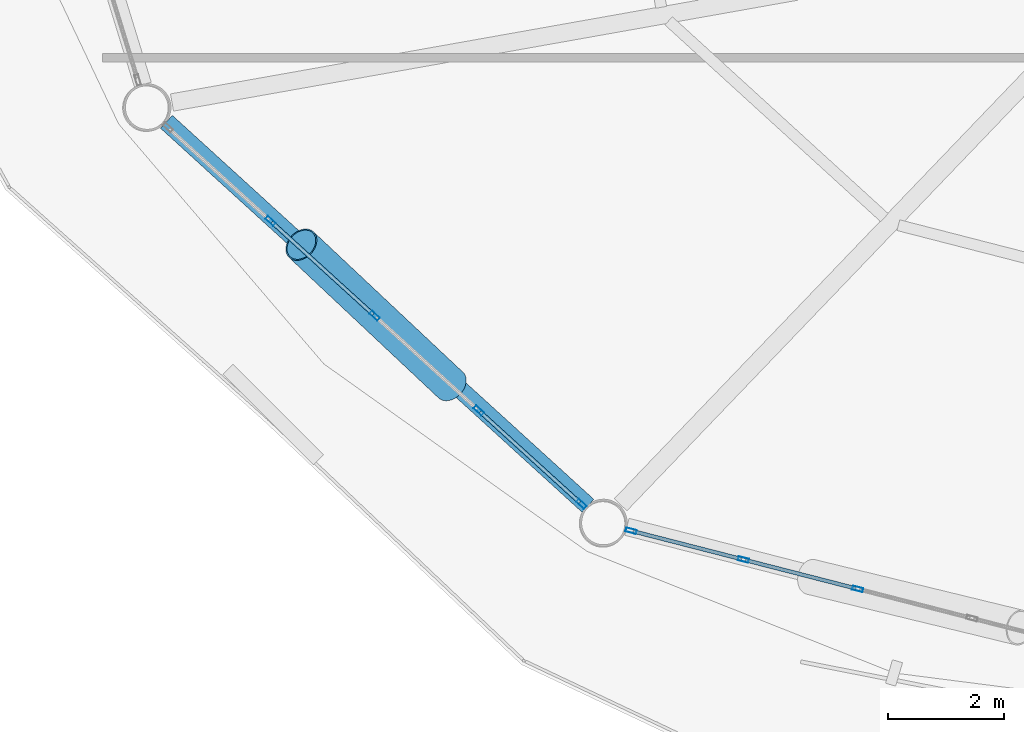
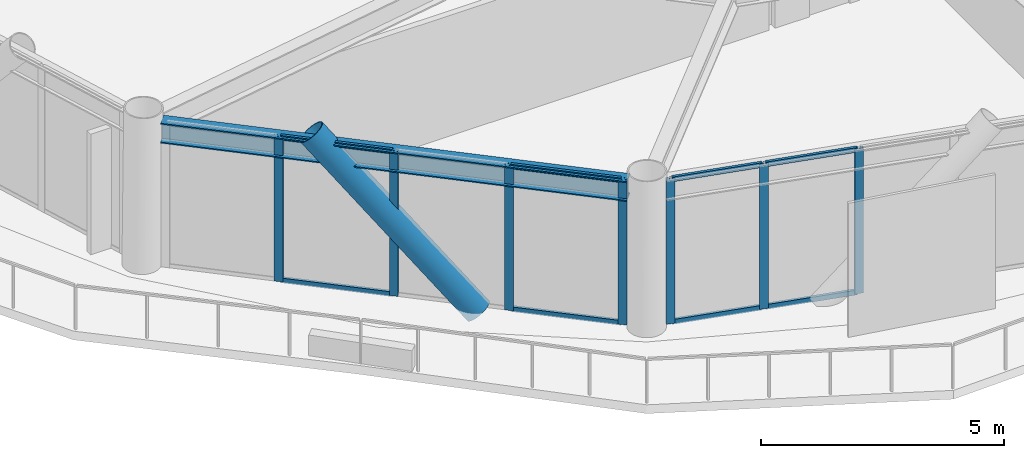
# One storey, part 2 of 24: 16 members, 1 beam, 2 elements without a shape of their own.
"""IFC4 building model written with IfcOpenShell, lengths in metres."""

from ifc_helpers import new_model, si_unit, direction, frame, origin, origin_2d, place, context, subcontext, project, spatial, hollow_rectangle, hollow_circle, i_section, extrude, material, layer, layer_set, material_profile, profile_set, type_object, element, aggregate, save


model = new_model("IFC4")

# Units and contexts
model_context = context("Model", 3, precision=1e-05, world=origin(), true_north=direction((0.0, 1.0)))
body_context = subcontext(model_context, "Body", "Model", "MODEL_VIEW")
ifc_project = project(units=[si_unit("LENGTHUNIT", "METRE"), si_unit("AREAUNIT", "SQUARE_METRE"), si_unit("VOLUMEUNIT", "CUBIC_METRE"), si_unit("PLANEANGLEUNIT", "RADIAN"), si_unit("MASSUNIT", "GRAM", prefix="KILO")], contexts=[model_context])

# Site, building, storey
site_placement = place(None, origin())
site = spatial("IfcSite", under=ifc_project, at=site_placement, CompositionType="ELEMENT")
building_placement = place(site_placement, origin())
building = spatial("IfcBuilding", under=site, at=building_placement, Name="Varnakorn Sky Granary", CompositionType="ELEMENT")
storey_placement = place(building_placement, frame((0.0, 0.0, 103.199951171875)))
storey = spatial("IfcBuildingStorey", under=building, at=storey_placement, Name="L25", CompositionType="ELEMENT", Elevation=103.199951171875)

# Beam
ifc_material_1 = material(Name="Steel S355JR", Category="steel")
ifc_material_profile_1 = material_profile(ifc_material_1, i_section(OverallWidth=0.300048828125, OverallDepth=0.5, WebThickness=0.014404296875, FlangeThickness=0.028076171875, at=origin_2d()), Name="HE 500 B")
ifc_profile_set_1 = profile_set([ifc_material_profile_1], Name="Steel S355JR")
beam_type = type_object("IfcBeamType", Name="BM-SPD-Z2", PredefinedType="SPANDREL", material=ifc_profile_set_1)
beam_placement = place(storey_placement, frame((-19.72802734375, -10.002197265625, 3.39013671875), z_axis=(0.739273749752, -0.67340502146, 0.0), x_axis=(0.67340502146, 0.739273749752, 0.0)))
element("IfcBeam", 1, at=beam_placement, inside=storey, type_object=beam_type, Name="Perimeter Spandrel Ring Beam RB08 L25", PredefinedType="SPANDREL", context=body_context, shape_type="SweptSolid", body=[
    extrude(i_section(OverallWidth=0.300048828125, OverallDepth=0.5, WebThickness=0.014404296875, FlangeThickness=0.028076171875, at=origin_2d()), origin(), (0.0, 0.0, 1.0), 9.8037109375),
])

# Curtain wall, members
ifc_material_2 = material(Name="Anodised Bronze Aluminium Alloy 6063-T6", Category="aluminium")
ifc_layer = layer(ifc_material_2, 0.179931640625, Name="Anodised Bronze Aluminium Alloy 6063-T6")
ifc_layer_set = layer_set([ifc_layer], Name="Anodised Bronze Aluminium Alloy 6063-T6")
curtain_wall_type = type_object("IfcCurtainWallType", Name="CW-FRM-2", PredefinedType="USERDEFINED", material=ifc_layer_set)
curtain_wall_1_placement = place(storey_placement, origin())
curtain_wall_1 = element("IfcCurtainWall", 2, at=curtain_wall_1_placement, inside=storey, type_object=curtain_wall_type, Name="Unitised Curtain Wall CW4 CW-L25-B08", ObjectType="CURTAIN WALL", PredefinedType="USERDEFINED")
ifc_material_profile_2 = material_profile(ifc_material_2, hollow_rectangle(XDim=0.070068359375, YDim=0.18505859375, WallThickness=0.00390625, at=origin_2d()), Name="ALU MULL 70x185")
ifc_profile_set_2 = profile_set([ifc_material_profile_2], Name="Anodised Bronze Aluminium Alloy 6063-T6")
member_type_1 = type_object("IfcMemberType", Name="CW-FRM-2-MULL", PredefinedType="MULLION", material=ifc_profile_set_2)
member_1_placement = place(storey_placement, frame((-12.594970703125, -16.571533203125, 0.0), z_axis=(0.0, 0.0, 1.0), x_axis=(-0.673184597183, -0.739474474282, 0.0)))
member_1 = element("IfcMember", 3, at=member_1_placement, type_object=member_type_1, Name="CW4 mullion 1", PredefinedType="MULLION", context=body_context, shape_type="SweptSolid", body=[
    extrude(hollow_rectangle(XDim=0.070068359375, YDim=0.18505859375, WallThickness=0.00390625, at=origin_2d()), origin(), (0.0, 0.0, 1.0), 3.64013671875),
])
member_2_placement = place(storey_placement, frame((-14.359130859375, -14.96533203125, 0.0), z_axis=(0.0, 0.0, 1.0), x_axis=(-0.673184597183, -0.739474474282, 0.0)))
member_2 = element("IfcMember", 4, at=member_2_placement, type_object=member_type_1, Name="CW4 mullion 2", PredefinedType="MULLION", context=body_context, shape_type="SweptSolid", body=[
    extrude(hollow_rectangle(XDim=0.070068359375, YDim=0.18505859375, WallThickness=0.00390625, at=origin_2d()), origin(), (0.0, 0.0, 1.0), 3.64013671875),
])
member_3_placement = place(storey_placement, frame((-16.149169921875, -13.335693359375, 0.0), z_axis=(0.0, 0.0, 1.0), x_axis=(-0.673184597183, -0.739474474282, 0.0)))
member_3 = element("IfcMember", 5, at=member_3_placement, type_object=member_type_1, Name="CW4 mullion 3", PredefinedType="MULLION", context=body_context, shape_type="SweptSolid", body=[
    extrude(hollow_rectangle(XDim=0.070068359375, YDim=0.18505859375, WallThickness=0.00390625, at=origin_2d()), origin(), (0.0, 0.0, 1.0), 3.64013671875),
])
member_4_placement = place(storey_placement, frame((-17.939453125, -11.7060546875, 0.0), z_axis=(0.0, 0.0, 1.0), x_axis=(-0.673184597183, -0.739474474282, 0.0)))
member_4 = element("IfcMember", 6, at=member_4_placement, type_object=member_type_1, Name="CW4 mullion 4", PredefinedType="MULLION", context=body_context, shape_type="SweptSolid", body=[
    extrude(hollow_rectangle(XDim=0.070068359375, YDim=0.18505859375, WallThickness=0.00390625, at=origin_2d()), origin(), (0.0, 0.0, 1.0), 3.64013671875),
])

curtain_wall_2_placement = place(storey_placement, origin())
curtain_wall_2 = element("IfcCurtainWall", 7, at=curtain_wall_2_placement, inside=storey, type_object=curtain_wall_type, Name="Unitised Curtain Wall CW4 CW-L25-B09", ObjectType="CURTAIN WALL", PredefinedType="USERDEFINED")
member_5_placement = place(storey_placement, frame((-7.843994140625, -18.03271484375, 0.0), z_axis=(0.0, 0.0, 1.0), x_axis=(-0.24847715644, -0.968637756196, 0.0)))
member_5 = element("IfcMember", 8, at=member_5_placement, type_object=member_type_1, Name="CW4 mullion 4", PredefinedType="MULLION", context=body_context, shape_type="SweptSolid", body=[
    extrude(hollow_rectangle(XDim=0.070068359375, YDim=0.18505859375, WallThickness=0.00390625, at=origin_2d()), origin(), (0.0, 0.0, 1.0), 3.64013671875),
])
member_6_placement = place(storey_placement, frame((-9.80810546875, -17.52880859375, 0.0), z_axis=(0.0, 0.0, 1.0), x_axis=(-0.24847715644, -0.968637756196, 0.0)))
member_6 = element("IfcMember", 9, at=member_6_placement, type_object=member_type_1, Name="CW4 mullion 5", PredefinedType="MULLION", context=body_context, shape_type="SweptSolid", body=[
    extrude(hollow_rectangle(XDim=0.070068359375, YDim=0.18505859375, WallThickness=0.00390625, at=origin_2d()), origin(), (0.0, 0.0, 1.0), 3.64013671875),
])
member_7_placement = place(storey_placement, frame((-11.73828125, -17.03369140625, 0.0), z_axis=(0.0, 0.0, 1.0), x_axis=(-0.24847715644, -0.968637756196, 0.0)))
member_7 = element("IfcMember", 10, at=member_7_placement, type_object=member_type_1, Name="CW4 mullion 6", PredefinedType="MULLION", context=body_context, shape_type="SweptSolid", body=[
    extrude(hollow_rectangle(XDim=0.070068359375, YDim=0.18505859375, WallThickness=0.00390625, at=origin_2d()), origin(), (0.0, 0.0, 1.0), 3.64013671875),
])

# Member
ifc_material_profile_3 = material_profile(ifc_material_2, hollow_rectangle(XDim=0.06494140625, YDim=0.1201171875, WallThickness=0.00341796875, at=origin_2d()), Name="ALU TRAN 65x120")
ifc_profile_set_3 = profile_set([ifc_material_profile_3], Name="Anodised Bronze Aluminium Alloy 6063-T6")
member_type_2 = type_object("IfcMemberType", Name="CW-FRM-2-TRAN", PredefinedType="USERDEFINED", material=ifc_profile_set_3)
member_8_placement = place(storey_placement, frame((-12.620849609375, -16.548095703125, 0.032470703125), z_axis=(-0.739434217415, 0.673228815571, 0.0), x_axis=(-0.673228815571, -0.739434217415, 0.0)))
member_8 = element("IfcMember", 11, at=member_8_placement, type_object=member_type_2, Name="CW4 transom 1.1", ObjectType="TRANSOM", PredefinedType="USERDEFINED", context=body_context, shape_type="SweptSolid", body=[
    extrude(hollow_rectangle(XDim=0.06494140625, YDim=0.1201171875, WallThickness=0.00341796875, at=origin_2d()), origin(), (0.0, 0.0, 1.0), 2.31591796875),
])

member_9_placement = place(storey_placement, frame((-12.620849609375, -16.548095703125, 3.607666015625), z_axis=(-0.739434217415, 0.673228815571, 0.0), x_axis=(-0.673228815571, -0.739434217415, 0.0)))
member_9 = element("IfcMember", 12, at=member_9_placement, type_object=member_type_2, Name="CW4 transom 1.2", ObjectType="TRANSOM", PredefinedType="USERDEFINED", context=body_context, shape_type="SweptSolid", body=[
    extrude(hollow_rectangle(XDim=0.06494140625, YDim=0.1201171875, WallThickness=0.00341796875, at=origin_2d()), origin(), (0.0, 0.0, 1.0), 2.31591796875),
])

member_10_placement = place(storey_placement, frame((-16.175048828125, -13.312255859375, 0.032470703125), z_axis=(-0.739507608661, 0.673148198194, 0.0), x_axis=(-0.673148198194, -0.739507608661, 0.0)))
member_10 = element("IfcMember", 13, at=member_10_placement, type_object=member_type_2, Name="CW4 transom 3.1", ObjectType="TRANSOM", PredefinedType="USERDEFINED", context=body_context, shape_type="SweptSolid", body=[
    extrude(hollow_rectangle(XDim=0.06494140625, YDim=0.1201171875, WallThickness=0.00341796875, at=origin_2d()), origin(), (0.0, 0.0, 1.0), 2.350830078125),
])

member_11_placement = place(storey_placement, frame((-16.175048828125, -13.312255859375, 3.607666015625), z_axis=(-0.739507608661, 0.673148198194, 0.0), x_axis=(-0.673148198194, -0.739507608661, 0.0)))
member_11 = element("IfcMember", 14, at=member_11_placement, type_object=member_type_2, Name="CW4 transom 3.2", ObjectType="TRANSOM", PredefinedType="USERDEFINED", context=body_context, shape_type="SweptSolid", body=[
    extrude(hollow_rectangle(XDim=0.06494140625, YDim=0.1201171875, WallThickness=0.00341796875, at=origin_2d()), origin(), (0.0, 0.0, 1.0), 2.350830078125),
])

aggregate(curtain_wall_1, [member_1, member_2, member_3, member_4, member_8, member_9, member_10, member_11])

member_12_placement = place(storey_placement, frame((-7.8779296875, -18.02392578125, 0.032470703125), z_axis=(-0.968650016028, 0.248429359074, 0.0), x_axis=(-0.248429359074, -0.968650016028, 0.0)))
member_12 = element("IfcMember", 15, at=member_12_placement, type_object=member_type_2, Name="CW4 transom 4.1", ObjectType="TRANSOM", PredefinedType="USERDEFINED", context=body_context, shape_type="SweptSolid", body=[
    extrude(hollow_rectangle(XDim=0.06494140625, YDim=0.1201171875, WallThickness=0.00341796875, at=origin_2d()), origin(), (0.0, 0.0, 1.0), 1.95751953125),
])

member_13_placement = place(storey_placement, frame((-7.8779296875, -18.02392578125, 3.607666015625), z_axis=(-0.968650016028, 0.248429359074, 0.0), x_axis=(-0.248429359074, -0.968650016028, 0.0)))
member_13 = element("IfcMember", 16, at=member_13_placement, type_object=member_type_2, Name="CW4 transom 4.2", ObjectType="TRANSOM", PredefinedType="USERDEFINED", context=body_context, shape_type="SweptSolid", body=[
    extrude(hollow_rectangle(XDim=0.06494140625, YDim=0.1201171875, WallThickness=0.00341796875, at=origin_2d()), origin(), (0.0, 0.0, 1.0), 1.95751953125),
])

member_14_placement = place(storey_placement, frame((-9.842041015625, -17.52001953125, 0.032470703125), z_axis=(-0.968660732407, 0.248387571131, 0.0), x_axis=(-0.248387571131, -0.968660732407, 0.0)))
member_14 = element("IfcMember", 17, at=member_14_placement, type_object=member_type_2, Name="CW4 transom 5.1", ObjectType="TRANSOM", PredefinedType="USERDEFINED", context=body_context, shape_type="SweptSolid", body=[
    extrude(hollow_rectangle(XDim=0.06494140625, YDim=0.1201171875, WallThickness=0.00341796875, at=origin_2d()), origin(), (0.0, 0.0, 1.0), 1.922607421875),
])

member_15_placement = place(storey_placement, frame((-9.842041015625, -17.52001953125, 3.607666015625), z_axis=(-0.968660732407, 0.248387571131, 0.0), x_axis=(-0.248387571131, -0.968660732407, 0.0)))
member_15 = element("IfcMember", 18, at=member_15_placement, type_object=member_type_2, Name="CW4 transom 5.2", ObjectType="TRANSOM", PredefinedType="USERDEFINED", context=body_context, shape_type="SweptSolid", body=[
    extrude(hollow_rectangle(XDim=0.06494140625, YDim=0.1201171875, WallThickness=0.00341796875, at=origin_2d()), origin(), (0.0, 0.0, 1.0), 1.922607421875),
])

aggregate(curtain_wall_2, [member_5, member_6, member_7, member_12, member_13, member_14, member_15])

ifc_material_3 = material(Name="Steel S460M", Category="steel")
ifc_material_profile_4 = material_profile(ifc_material_3, hollow_circle(Radius=0.304931640625, WallThickness=0.022216796875, at=origin_2d()), Name="CHS 610x22")
ifc_profile_set_4 = profile_set([ifc_material_profile_4], Name="Steel S460M")
member_type_3 = type_object("IfcMemberType", Name="MB-DIAG-T1", PredefinedType="BRACE", material=ifc_profile_set_4)
member_16_placement = place(storey_placement, frame((-14.8408203125, -14.52685546875, -0.1298828125), z_axis=(-0.48722747856, 0.457626950056, 0.743765392257), x_axis=(-0.684618565647, -0.728901515687, 0.0)))
element("IfcMember", 19, at=member_16_placement, inside=storey, type_object=member_type_3, Name="Perimeter CHS Diagrid Brace DG08 L25", PredefinedType="BRACE", context=body_context, shape_type="SweptSolid", body=[
    extrude(hollow_circle(Radius=0.304931640625, WallThickness=0.022216796875, at=origin_2d()), origin(), (0.0, 0.0, 1.0), 5.270263671875),
])

save(model, "model.ifc")
